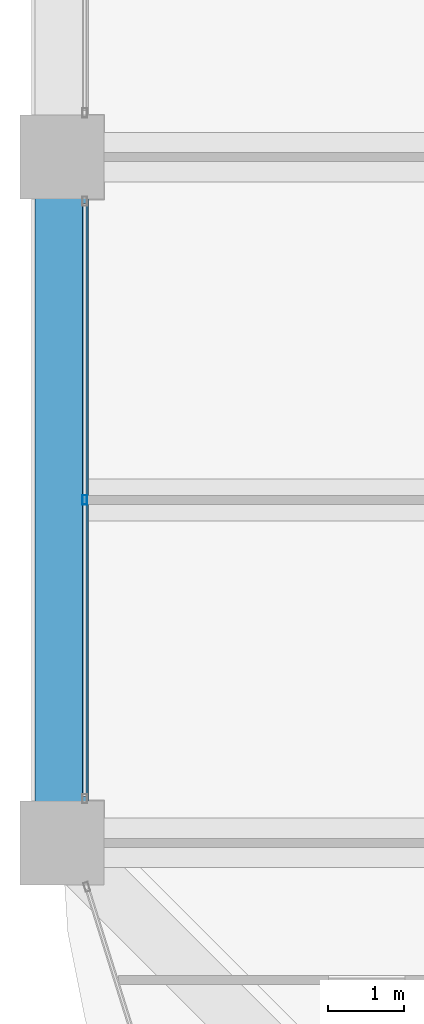
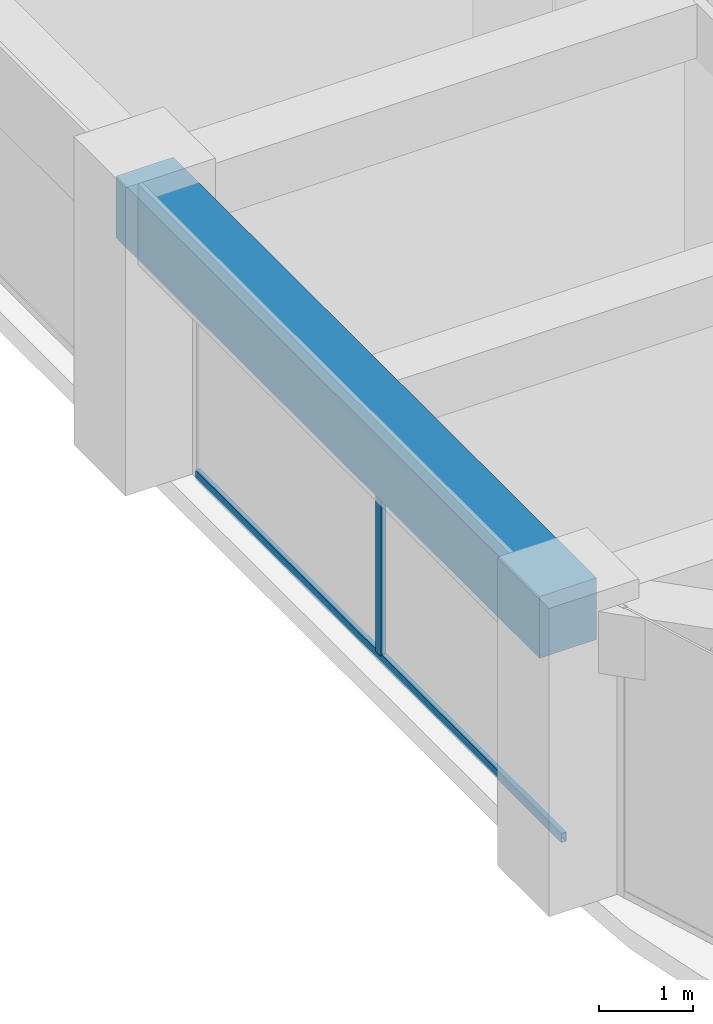
# One storey, part 7 of 44: 2 members, 1 beam, 1 element without a shape of its own.
"""IFC4 building model written with IfcOpenShell, lengths in metres."""

import ifcopenshell
import ifcopenshell.guid

model = None  # the IFC model being written
_history = None  # IfcOwnerHistory: only IFC2X3 demands one
_inside = {}  # id of a spatial element -> (the spatial element, [elements in it])
_under = {}  # id of a project, library or spatial element -> (it, [spatial elements below it])
_declared = {}  # id of a project -> (the project, [libraries it declares])
_typed = {}  # id of a type object -> (the type object, [elements of that type])
_made_of = {}  # id of a material, layer set ... -> (it, [elements and type objects made of it])


def new_model(schema):
    """Start an empty IFC model of exactly this schema.

    Asked for "IFC4X3", IfcOpenShell would pick the latest addendum, in which some entities
    have other attributes; the version numbers below select the first issue.
    IFC2X3 requires an IfcOwnerHistory on every rooted entity: one is made here for all.
    """
    global model, _history
    if schema == "IFC4X3":
        model = ifcopenshell.file(schema_version=(4, 3, 0, 0))
    else:
        model = ifcopenshell.file(schema=schema)
    _inside.clear()
    _under.clear()
    _declared.clear()
    _typed.clear()
    _made_of.clear()
    _history = None
    if model.schema == "IFC2X3":
        org = make("IfcOrganization", Name="unknown")
        user = make(
            "IfcPersonAndOrganization",
            ThePerson=make("IfcPerson", FamilyName="unknown"),
            TheOrganization=org,
        )
        app = make(
            "IfcApplication",
            ApplicationDeveloper=org,
            Version="unknown",
            ApplicationFullName="unknown",
            ApplicationIdentifier="unknown",
        )
        _history = make(
            "IfcOwnerHistory",
            OwningUser=user,
            OwningApplication=app,
            ChangeAction="ADDED",
            CreationDate=0,
        )
    return model


def make(cls, **values):
    """One entity of the class cls with the attributes given. An attribute that is None is left unset."""
    return model.create_entity(
        cls, **{name: value for name, value in values.items() if value is not None}
    )


def rooted(cls, **values):
    """An entity with a GlobalId (a new one), such as an element, a storey or a relation."""
    return make(cls, GlobalId=ifcopenshell.guid.new(), OwnerHistory=_history, **values)


def si_unit(unit_type, name, prefix=None):
    """IfcSIUnit, for example si_unit("LENGTHUNIT", "METRE", prefix="MILLI")."""
    return make("IfcSIUnit", UnitType=unit_type, Prefix=prefix, Name=name)


def assignment(units):
    """IfcUnitAssignment: the units of a project."""
    return None if units is None else make("IfcUnitAssignment", Units=units)


def point(xyz):
    """IfcCartesianPoint."""
    return None if xyz is None else make("IfcCartesianPoint", Coordinates=xyz)


def direction(xyz):
    """IfcDirection."""
    return None if xyz is None else make("IfcDirection", DirectionRatios=xyz)


def frame(location, z_axis=None, x_axis=None):
    """IfcAxis2Placement3D, a coordinate frame: its origin and axes. An axis left out is left unset."""
    return make(
        "IfcAxis2Placement3D",
        Location=point(location),
        Axis=direction(z_axis),
        RefDirection=direction(x_axis),
    )


def frame_2d(location, x_axis=None):
    """IfcAxis2Placement2D, a coordinate frame in the plane: its origin and x axis."""
    return make(
        "IfcAxis2Placement2D", Location=point(location), RefDirection=direction(x_axis)
    )


def origin():
    """The frame at (0, 0, 0) with its axes left unset."""
    return frame((0.0, 0.0, 0.0))


def origin_2d():
    """The frame at (0, 0) in the plane with its x axis left unset."""
    return frame_2d((0.0, 0.0))


def place(relative_to, where):
    """IfcLocalPlacement: puts the frame where relative to a parent placement (None: the world)."""
    return make(
        "IfcLocalPlacement", PlacementRelTo=relative_to, RelativePlacement=where
    )


def context(
    kind, dimensions, precision=None, world=None, true_north=None, identifier=None
):
    """IfcGeometricRepresentationContext, for example the 3D "Model" context."""
    return make(
        "IfcGeometricRepresentationContext",
        ContextIdentifier=identifier,
        ContextType=kind,
        CoordinateSpaceDimension=dimensions,
        Precision=precision,
        WorldCoordinateSystem=world,
        TrueNorth=true_north,
    )


def subcontext(parent, identifier, kind, view, scale=None):
    """IfcGeometricRepresentationSubContext, for example "Body" below "Model"."""
    return make(
        "IfcGeometricRepresentationSubContext",
        ContextIdentifier=identifier,
        ContextType=kind,
        ParentContext=parent,
        TargetScale=scale,
        TargetView=view,
    )


def project(units=None, contexts=None):
    """IfcProject with its units and contexts."""
    return rooted(
        "IfcProject",
        Name="project",
        RepresentationContexts=contexts,
        UnitsInContext=assignment(units),
    )


def spatial(cls, under=None, at=None, **own):
    """A site, building, storey or space (cls), placed at a placement, below another one or the project."""
    s = rooted(cls, ObjectPlacement=at, **own)
    if under is not None:
        _under.setdefault(under.id(), (under, []))[1].append(s)
    return s


def profile(cls, at=None, kind="AREA", **sizes):
    """A parametric profile (cls). Its sizes go by their IFC names, for example OverallWidth=200.0."""
    return make(cls, ProfileType=kind, Position=at, **sizes)


def rectangle(**sizes):
    """IfcRectangleProfileDef."""
    return profile("IfcRectangleProfileDef", **sizes)


def hollow_rectangle(**sizes):
    """IfcRectangleHollowProfileDef."""
    return profile("IfcRectangleHollowProfileDef", **sizes)


def extrude(swept, where, along, depth):
    """IfcExtrudedAreaSolid: the profile swept, set in the frame where, extruded along a direction by depth."""
    return make(
        "IfcExtrudedAreaSolid",
        SweptArea=swept,
        Position=where,
        ExtrudedDirection=direction(along),
        Depth=depth,
    )


def shape(context_of_items, identifier, shape_type, items):
    """IfcShapeRepresentation: the items that make up one representation, for example the "Body"."""
    return make(
        "IfcShapeRepresentation",
        ContextOfItems=context_of_items,
        RepresentationIdentifier=identifier,
        RepresentationType=shape_type,
        Items=items,
    )


def material(Name=None, Category=None):
    """IfcMaterial."""
    return make("IfcMaterial", Name=Name, Category=Category)


def material_profile(
    of_material, cross_section, Name=None, Category=None, Priority=None
):
    """IfcMaterialProfile: a cross section and its material."""
    return make(
        "IfcMaterialProfile",
        Name=Name,
        Material=of_material,
        Profile=cross_section,
        Priority=Priority,
        Category=Category,
    )


def profile_set(profiles, Name=None, composite=None):
    """IfcMaterialProfileSet."""
    return make(
        "IfcMaterialProfileSet",
        Name=Name,
        MaterialProfiles=profiles,
        CompositeProfile=composite,
    )


def made_of(thing, what):
    """Note that an element or type object is made of a material, layer set ...; save() writes the relation."""
    if what is not None:
        _made_of.setdefault(what.id(), (what, []))[1].append(thing)
    return thing


def type_object(cls, material=None, **own):
    """A type object (cls), such as IfcWallType, which elements share."""
    return made_of(rooted(cls, **own), material)


def element(
    cls,
    number,
    at=None,
    inside=None,
    cuts=None,
    type_object=None,
    material=None,
    context=None,
    identifier="Body",
    shape_type=None,
    held_by="IfcProductDefinitionShape",
    body=None,
    shapes=None,
    **own,
):
    """One element of the class cls, such as IfcWall. Its Tag is "e" and its number.

    at: its placement. inside: the storey or other place that contains it. cuts: it is an
    opening in that element (IfcRelVoidsElement). A single representation is given by context,
    identifier, shape_type and body (its items); several are given by shapes. held_by: the class
    of the entity that holds the representations. save() writes the other relations.
    """
    e = rooted(cls, Tag="e%d" % number, ObjectPlacement=at, **own)
    if body is not None:
        shapes = [shape(context, identifier, shape_type, body)]
    if shapes is not None:
        e.Representation = make(held_by, Representations=shapes)
    if inside is not None:
        _inside.setdefault(inside.id(), (inside, []))[1].append(e)
    if cuts is not None:
        rooted(
            "IfcRelVoidsElement", RelatingBuildingElement=cuts, RelatedOpeningElement=e
        )
    if type_object is not None:
        _typed.setdefault(type_object.id(), (type_object, []))[1].append(e)
    return made_of(e, material)


def aggregate(whole, parts):
    """IfcRelAggregates: a whole, such as a stair, and the parts it consists of."""
    return rooted("IfcRelAggregates", RelatingObject=whole, RelatedObjects=parts)


def save(model, path):
    """Write the relations noted so far, then the file.

    IfcRelAggregates (storeys below a building ...), IfcRelContainedInSpatialStructure (elements
    in a storey), IfcRelDefinesByType, IfcRelAssociatesMaterial and IfcRelDeclares: one each for
    every whole, place, type object, material and project.
    """
    for whole, parts in _under.values():
        aggregate(whole, parts)
    for where, things in _inside.values():
        rooted(
            "IfcRelContainedInSpatialStructure",
            RelatedElements=things,
            RelatingStructure=where,
        )
    for kind, things in _typed.values():
        rooted("IfcRelDefinesByType", RelatedObjects=things, RelatingType=kind)
    for what, things in _made_of.values():
        rooted("IfcRelAssociatesMaterial", RelatedObjects=things, RelatingMaterial=what)
    for by, libraries in _declared.values():
        rooted("IfcRelDeclares", RelatingContext=by, RelatedDefinitions=libraries)
    model.write(path)


model = new_model("IFC4")

# Units and contexts
model_context = context("Model", 3, precision=1e-05, world=origin(), true_north=direction((0.0, 1.0)))
body_context = subcontext(model_context, "Body", "Model", "MODEL_VIEW")
ifc_project = project(units=[si_unit("LENGTHUNIT", "METRE"), si_unit("AREAUNIT", "SQUARE_METRE"), si_unit("VOLUMEUNIT", "CUBIC_METRE"), si_unit("PLANEANGLEUNIT", "RADIAN"), si_unit("MASSUNIT", "GRAM", prefix="KILO")], contexts=[model_context])

# Site, building, storey
site_placement = place(None, origin())
site = spatial("IfcSite", under=ifc_project, at=site_placement, CompositionType="ELEMENT")
building_placement = place(site_placement, origin())
building = spatial("IfcBuilding", under=site, at=building_placement, Name="Zorevar Civic Tower", CompositionType="ELEMENT")
storey_placement = place(building_placement, frame((0.0, 0.0, 287.39990234375)))
storey = spatial("IfcBuildingStorey", under=building, at=storey_placement, Name="L70", CompositionType="ELEMENT", Elevation=287.39990234375)

# Curtain wall, members
ifc_material_1 = material(Name="Dark grey solar-control glass in black aluminium frame", Category="aluminium")
curtain_wall_type = type_object("IfcCurtainWallType", Name="Curtain wall CW5 top zone", PredefinedType="NOTDEFINED", material=ifc_material_1)
curtain_wall_placement = place(storey_placement, origin())
curtain_wall = element("IfcCurtainWall", 1, at=curtain_wall_placement, inside=storey, type_object=curtain_wall_type, Name="CW5 L70", PredefinedType="NOTDEFINED")
ifc_material_2 = material(Name="Aluminium, black anodised", Category="aluminium")
ifc_material_profile_1 = material_profile(ifc_material_2, hollow_rectangle(XDim=0.06005859375, YDim=0.1201171875, WallThickness=0.0029296875, at=origin_2d()), Name="AL 120x60x3")
ifc_profile_set_1 = profile_set([ifc_material_profile_1], Name="Aluminium, black anodised")
member_type_1 = type_object("IfcMemberType", Name="CW5 mullion AL 120x60x3", PredefinedType="MULLION", material=ifc_profile_set_1)
member_1_placement = place(storey_placement, frame((9.300048828125, 13.5, 0.06005859375), z_axis=(0.0, 0.0, 1.0), x_axis=(-1.0, 0.0, 0.0)))
member_1 = element("IfcMember", 2, at=member_1_placement, type_object=member_type_1, Name="CW5 mullion 2", PredefinedType="MULLION", context=body_context, shape_type="SweptSolid", body=[
    extrude(hollow_rectangle(XDim=0.06005859375, YDim=0.1201171875, WallThickness=0.0029296875, at=origin_2d()), origin(), (0.0, 0.0, 1.0), 2.89013671875),
])
ifc_material_3 = material(Name="Aluminium, black anodised", Category="aluminium")
ifc_material_profile_2 = material_profile(ifc_material_3, hollow_rectangle(XDim=0.06005859375, YDim=0.1201171875, WallThickness=0.0029296875, at=origin_2d()), Name="AL 120x60x3")
ifc_profile_set_2 = profile_set([ifc_material_profile_2], Name="Aluminium, black anodised")
member_type_2 = type_object("IfcMemberType", Name="CW5 transom AL 120x60x3", PredefinedType="USERDEFINED", material=ifc_profile_set_2)
member_2_placement = place(storey_placement, frame((9.300048828125, 9.610107421875, 0.030029296875), z_axis=(0.0, 1.0, 0.0), x_axis=(-1.0, 0.0, 0.0)))
member_2 = element("IfcMember", 3, at=member_2_placement, type_object=member_type_2, Name="CW5 sill transom", ObjectType="TRANSOM", PredefinedType="USERDEFINED", context=body_context, shape_type="SweptSolid", body=[
    extrude(hollow_rectangle(XDim=0.06005859375, YDim=0.1201171875, WallThickness=0.0029296875, at=origin_2d()), origin(), (0.0, 0.0, 1.0), 7.77978515625),
])
aggregate(curtain_wall, [member_1, member_2])

# Beam
ifc_material_4 = material(Name="Concrete C50/60", Category="concrete")
ifc_material_profile_3 = material_profile(ifc_material_4, rectangle(XDim=0.699951171875, YDim=0.800048828125, at=origin_2d()), Name="RC 700x800")
ifc_profile_set_3 = profile_set([ifc_material_profile_3], Name="Concrete C50/60")
beam_type = type_object("IfcBeamType", Name="Edge beam RC 700x800", PredefinedType="SPANDREL", material=ifc_profile_set_3)
beam_placement = place(storey_placement, frame((9.0, 9.0, 3.35009765625), z_axis=(0.0, 1.0, 0.0), x_axis=(-1.0, 0.0, 0.0)))
element("IfcBeam", 4, at=beam_placement, inside=storey, type_object=beam_type, Name="Edge beam L71", PredefinedType="SPANDREL", context=body_context, shape_type="SweptSolid", body=[
    extrude(rectangle(XDim=0.699951171875, YDim=0.800048828125, at=origin_2d()), origin(), (0.0, 0.0, 1.0), 9.0),
])

save(model, "model.ifc")
